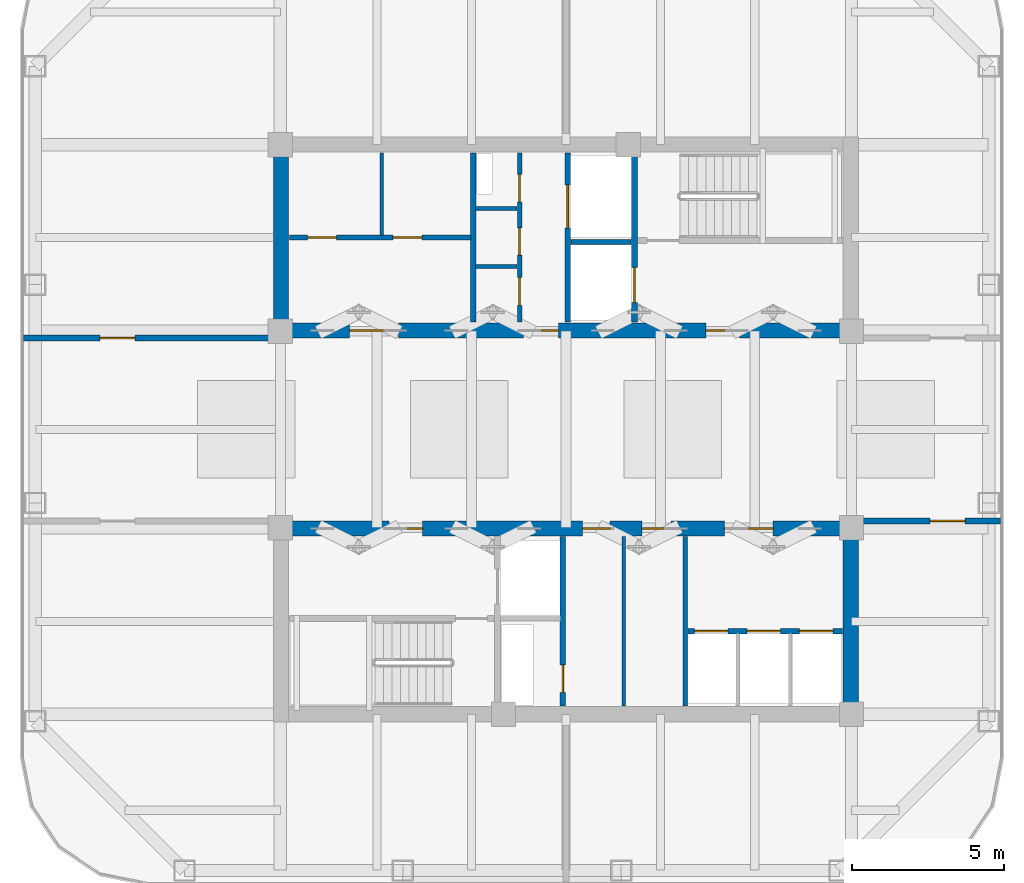
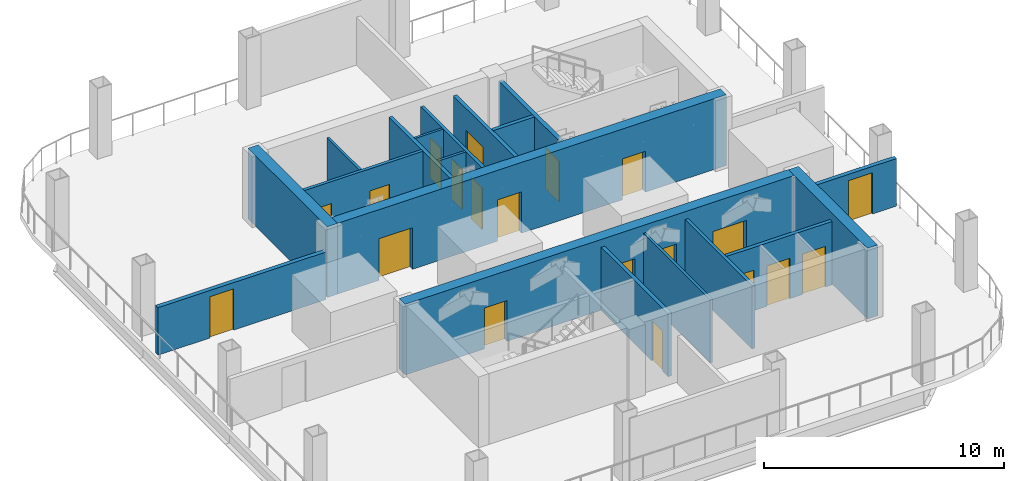
# One storey, part 3 of 9: 20 doors, 19 walls, 20 openings.
"""IFC4 building model written with IfcOpenShell, lengths in metres."""

from ifc_helpers import new_model, si_unit, direction, frame, frame_2d, origin, place, context, subcontext, project, spatial, rectangle, extrude, material, layer, layer_set, type_object, element, fill, save


model = new_model("IFC4")

# Units and contexts
model_context = context("Model", 3, precision=1e-05, world=origin(), true_north=direction((0.0, 1.0)))
body_context = subcontext(model_context, "Body", "Model", "MODEL_VIEW")
ifc_project = project(units=[si_unit("LENGTHUNIT", "METRE"), si_unit("AREAUNIT", "SQUARE_METRE"), si_unit("VOLUMEUNIT", "CUBIC_METRE"), si_unit("PLANEANGLEUNIT", "RADIAN"), si_unit("MASSUNIT", "GRAM", prefix="KILO")], contexts=[model_context])

# Site, building, storey
site_placement = place(None, origin())
site = spatial("IfcSite", under=ifc_project, at=site_placement, CompositionType="ELEMENT")
building_placement = place(site_placement, origin())
building = spatial("IfcBuilding", under=site, at=building_placement, Name="Qhalaya Broadcast Tower", CompositionType="ELEMENT")
storey_placement = place(building_placement, frame((0.0, 0.0, 191.550048828125)))
storey = spatial("IfcBuildingStorey", under=building, at=storey_placement, Name="L56", CompositionType="ELEMENT", Elevation=191.550048828125)

# Wall, openings, doors
ifc_material_1 = material(Name="Gypsum Acoustic Partition")
ifc_layer_1 = layer(ifc_material_1, 0.14990234375, Name="Gypsum Acoustic Partition")
ifc_layer_set_1 = layer_set([ifc_layer_1], Name="Gypsum Acoustic Partition")
wall_type_1 = type_object("IfcWallType", Name="Corridor & Tenancy Acoustic Partition 150", PredefinedType="PARTITIONING", material=ifc_layer_set_1)
wall_1_placement = place(storey_placement, frame((-1.52001953125, 4.1201171875, 0.0), z_axis=(0.0, 0.0, 1.0), x_axis=(0.0, 1.0, 0.0)))
wall_1 = element("IfcWall", 1, at=wall_1_placement, inside=storey, type_object=wall_type_1, Name="L56 Partition Wall NCW-SVL", PredefinedType="PARTITIONING", context=body_context, shape_type="SweptSolid", body=[
    extrude(rectangle(XDim=5.559814453125, YDim=0.14990234375, at=frame_2d((2.77978515625, 0.0))), origin(), (0.0, 0.0, 1.0), 3.219970703125),
])
opening_1_placement = place(wall_1_placement, frame((3.949951171875, 0.0, 0.0)))
opening_1 = element("IfcOpeningElement", 2, at=opening_1_placement, cuts=wall_1, Name="Opening D06", PredefinedType="OPENING", context=body_context, shape_type="SweptSolid", body=[
    extrude(rectangle(XDim=0.89990234375, YDim=2.050048828125, at=frame_2d((0.449951171875, 1.02490234375))), frame((0.0, 0.0869140625, 0.0), z_axis=(0.0, -1.0, 0.0), x_axis=(1.0, 0.0, 0.0)), (0.0, 0.0, 1.0), 0.173828125),
])
opening_2_placement = place(wall_1_placement, frame((2.199951171875, 0.0, 0.0)))
opening_2 = element("IfcOpeningElement", 3, at=opening_2_placement, cuts=wall_1, Name="Opening D06", PredefinedType="OPENING", context=body_context, shape_type="SweptSolid", body=[
    extrude(rectangle(XDim=0.89990234375, YDim=2.050048828125, at=frame_2d((0.449951171875, 1.02490234375))), frame((0.0, 0.0869140625, 0.0), z_axis=(0.0, -1.0, 0.0), x_axis=(1.0, 0.0, 0.0)), (0.0, 0.0, 1.0), 0.173828125),
])
opening_3_placement = place(wall_1_placement, frame((0.550048828125, 0.0, 0.0)))
opening_3 = element("IfcOpeningElement", 4, at=opening_3_placement, cuts=wall_1, Name="Opening D12", PredefinedType="OPENING", context=body_context, shape_type="SweptSolid", body=[
    extrude(rectangle(XDim=0.919921875, YDim=2.10009765625, at=frame_2d((0.4599609375, 1.050048828125))), frame((0.0, 0.0869140625, 0.0), z_axis=(0.0, -1.0, 0.0), x_axis=(1.0, 0.0, 0.0)), (0.0, 0.0, 1.0), 0.173828125),
])
ifc_material_2 = material(Name="Timber Veneer Acoustic Door", Category="wood")
door_type_1 = type_object("IfcDoorType", Name="Accessible WC & Restroom Door D12", OperationType="NOTDEFINED", PredefinedType="DOOR", material=ifc_material_2)
door_1_placement = place(opening_3_placement, origin())
door_1 = element("IfcDoor", 5, at=door_1_placement, inside=storey, type_object=door_type_1, Name="L56 Door D-NCWC", OperationType="SINGLE_SWING_RIGHT", OverallHeight=2.10009765625, OverallWidth=0.919921875, PredefinedType="DOOR", context=body_context, shape_type="SweptSolid", body=[
    extrude(rectangle(XDim=0.919921875, YDim=2.10009765625, at=frame_2d((0.4599609375, 1.050048828125))), frame((0.0, 0.02490234375, 0.0), z_axis=(0.0, -1.0, 0.0), x_axis=(1.0, 0.0, 0.0)), (0.0, 0.0, 1.0), 0.050048828125),
])
fill(opening_3, door_1)
ifc_material_3 = material(Name="Fire-Rated Steel Door", Category="steel")
door_type_2 = type_object("IfcDoorType", Name="Riser & Electrical Shaft Access Door D06", OperationType="NOTDEFINED", PredefinedType="DOOR", material=ifc_material_3)
door_2_placement = place(opening_1_placement, origin())
door_2 = element("IfcDoor", 6, at=door_2_placement, inside=storey, type_object=door_type_2, Name="L56 Riser Shaft Access Door D-NRSR", OperationType="SINGLE_SWING_RIGHT", OverallHeight=2.050048828125, OverallWidth=0.89990234375, PredefinedType="DOOR", context=body_context, shape_type="SweptSolid", body=[
    extrude(rectangle(XDim=0.89990234375, YDim=2.050048828125, at=frame_2d((0.449951171875, 1.02490234375))), frame((0.0, 0.02490234375, 0.0), z_axis=(0.0, -1.0, 0.0), x_axis=(1.0, 0.0, 0.0)), (0.0, 0.0, 1.0), 0.050048828125),
])
fill(opening_1, door_2)
door_3_placement = place(opening_2_placement, origin())
door_3 = element("IfcDoor", 7, at=door_3_placement, inside=storey, type_object=door_type_2, Name="L56 Door D-NITR", OperationType="SINGLE_SWING_LEFT", OverallHeight=2.050048828125, OverallWidth=0.89990234375, PredefinedType="DOOR", context=body_context, shape_type="SweptSolid", body=[
    extrude(rectangle(XDim=0.89990234375, YDim=2.050048828125, at=frame_2d((0.449951171875, 1.02490234375))), frame((0.0, 0.02490234375, 0.0), z_axis=(0.0, -1.0, 0.0), x_axis=(1.0, 0.0, 0.0)), (0.0, 0.0, 1.0), 0.050048828125),
])
fill(opening_2, door_3)

wall_2_placement = place(storey_placement, frame((-9.080078125, 6.89990234375, 0.0), z_axis=(0.0, 0.0, 1.0), x_axis=(1.0, 0.0, 0.0)))
wall_2 = element("IfcWall", 8, at=wall_2_placement, inside=storey, type_object=wall_type_1, Name="L56 Partition Wall NCW-REC1", PredefinedType="PARTITIONING", context=body_context, shape_type="SweptSolid", body=[
    extrude(rectangle(XDim=5.9599609375, YDim=0.14990234375, at=frame_2d((2.97998046875, 0.0))), origin(), (0.0, 0.0, 1.0), 3.219970703125),
])
opening_4_placement = place(wall_2_placement, frame((0.60009765625, 0.0, 0.0)))
opening_4 = element("IfcOpeningElement", 9, at=opening_4_placement, cuts=wall_2, Name="Opening D10", PredefinedType="OPENING", context=body_context, shape_type="SweptSolid", body=[
    extrude(rectangle(XDim=0.949951171875, YDim=2.10009765625, at=frame_2d((0.47509765625, 1.050048828125))), frame((0.0, 0.0869140625, 0.0), z_axis=(0.0, -1.0, 0.0), x_axis=(1.0, 0.0, 0.0)), (0.0, 0.0, 1.0), 0.173828125),
])
opening_5_placement = place(wall_2_placement, frame((3.39990234375, 0.0, 0.0)))
opening_5 = element("IfcOpeningElement", 10, at=opening_5_placement, cuts=wall_2, Name="Opening D10", PredefinedType="OPENING", context=body_context, shape_type="SweptSolid", body=[
    extrude(rectangle(XDim=0.949951171875, YDim=2.10009765625, at=frame_2d((0.47509765625, 1.050048828125))), frame((0.0, 0.0869140625, 0.0), z_axis=(0.0, -1.0, 0.0), x_axis=(1.0, 0.0, 0.0)), (0.0, 0.0, 1.0), 0.173828125),
])
door_type_3 = type_object("IfcDoorType", Name="Cellular Office & Edit Booth Door D10", OperationType="NOTDEFINED", PredefinedType="DOOR", material=ifc_material_2)
door_4_placement = place(opening_4_placement, origin())
door_4 = element("IfcDoor", 11, at=door_4_placement, inside=storey, type_object=door_type_3, Name="L56 Door D-NREC1", OperationType="SINGLE_SWING_LEFT", OverallHeight=2.10009765625, OverallWidth=0.949951171875, PredefinedType="DOOR", context=body_context, shape_type="SweptSolid", body=[
    extrude(rectangle(XDim=0.949951171875, YDim=2.10009765625, at=frame_2d((0.47509765625, 1.050048828125))), frame((0.0, 0.02490234375, 0.0), z_axis=(0.0, -1.0, 0.0), x_axis=(1.0, 0.0, 0.0)), (0.0, 0.0, 1.0), 0.050048828125),
])
fill(opening_4, door_4)
door_5_placement = place(opening_5_placement, origin())
door_5 = element("IfcDoor", 12, at=door_5_placement, inside=storey, type_object=door_type_3, Name="L56 Door D-NREC2", OperationType="SINGLE_SWING_RIGHT", OverallHeight=2.10009765625, OverallWidth=0.949951171875, PredefinedType="DOOR", context=body_context, shape_type="SweptSolid", body=[
    extrude(rectangle(XDim=0.949951171875, YDim=2.10009765625, at=frame_2d((0.47509765625, 1.050048828125))), frame((0.0, 0.02490234375, 0.0), z_axis=(0.0, -1.0, 0.0), x_axis=(1.0, 0.0, 0.0)), (0.0, 0.0, 1.0), 0.050048828125),
])
fill(opening_5, door_5)

# Wall
wall_3_placement = place(storey_placement, frame((3.919921875, -8.47998046875, 0.0), z_axis=(0.0, 0.0, 1.0), x_axis=(0.0, 1.0, 0.0)))
element("IfcWall", 13, at=wall_3_placement, inside=storey, type_object=wall_type_1, Name="L56 Partition Wall SCW-HSEP", PredefinedType="PARTITIONING", context=body_context, shape_type="SweptSolid", body=[
    extrude(rectangle(XDim=5.56005859375, YDim=0.14990234375, at=frame_2d((2.780029296875, 0.0))), origin(), (0.0, 0.0, 1.0), 3.219970703125),
])

# Wall, opening, door
ifc_layer_2 = layer(ifc_material_1, 0.199951171875, Name="Gypsum Acoustic Partition")
ifc_layer_set_2 = layer_set([ifc_layer_2], Name="Gypsum Acoustic Partition")
wall_type_2 = type_object("IfcWallType", Name="Firefighting Lobby & Stair Enclosure Wall 200", PredefinedType="PARTITIONING", material=ifc_layer_set_2)
wall_4_placement = place(storey_placement, frame((-17.800048828125, 3.60009765625, 0.0), z_axis=(0.0, 0.0, 1.0), x_axis=(1.0, 0.0, 0.0)))
wall_4 = element("IfcWall", 14, at=wall_4_placement, inside=storey, type_object=wall_type_2, Name="L56 Partition Wall W-PL56NW", PredefinedType="PARTITIONING", context=body_context, shape_type="SweptSolid", body=[
    extrude(rectangle(XDim=8.090087890625, YDim=0.199951171875, at=frame_2d((4.044921875, 0.0))), origin(), (0.0, 0.0, 1.0), 2.419921875),
])
opening_6_placement = place(wall_4_placement, frame((2.4990234375, 0.0, 0.0)))
opening_6 = element("IfcOpeningElement", 15, at=opening_6_placement, cuts=wall_4, Name="Opening D05", PredefinedType="OPENING", context=body_context, shape_type="SweptSolid", body=[
    extrude(rectangle(XDim=1.14990234375, YDim=2.10009765625, at=frame_2d((0.574951171875, 1.050048828125))), frame((0.0, 0.112060546875, 0.0), z_axis=(0.0, -1.0, 0.0), x_axis=(1.0, 0.0, 0.0)), (0.0, 0.0, 1.0), 0.223876953125),
])
door_type_4 = type_object("IfcDoorType", Name="Refuge & Plant Room Fire Door D05", OperationType="NOTDEFINED", PredefinedType="DOOR", material=ifc_material_3)
door_6_placement = place(opening_6_placement, origin())
door_6 = element("IfcDoor", 16, at=door_6_placement, inside=storey, type_object=door_type_4, Name="L56 Door D-PL56NW", OperationType="SINGLE_SWING_RIGHT", OverallHeight=2.10009765625, OverallWidth=1.14990234375, PredefinedType="DOOR", context=body_context, shape_type="SweptSolid", body=[
    extrude(rectangle(XDim=1.14990234375, YDim=2.10009765625, at=frame_2d((0.574951171875, 1.050048828125))), frame((0.0, 0.02490234375, 0.0), z_axis=(0.0, -1.0, 0.0), x_axis=(1.0, 0.0, 0.0)), (0.0, 0.0, 1.0), 0.050048828125),
])
fill(opening_6, door_6)

wall_5_placement = place(storey_placement, frame((9.7099609375, -2.39990234375, 0.0), z_axis=(0.0, 0.0, 1.0), x_axis=(1.0, 0.0, 0.0)))
wall_5 = element("IfcWall", 17, at=wall_5_placement, inside=storey, type_object=wall_type_2, Name="L56 Partition Wall W-PL56SE", PredefinedType="PARTITIONING", context=body_context, shape_type="SweptSolid", body=[
    extrude(rectangle(XDim=4.550048828125, YDim=0.199951171875, at=frame_2d((2.27490234375, 0.0))), origin(), (0.0, 0.0, 1.0), 2.419921875),
])
opening_7_placement = place(wall_5_placement, frame((2.24609375, 0.0, 0.0)))
opening_7 = element("IfcOpeningElement", 18, at=opening_7_placement, cuts=wall_5, Name="Opening D05", PredefinedType="OPENING", context=body_context, shape_type="SweptSolid", body=[
    extrude(rectangle(XDim=1.14990234375, YDim=2.10009765625, at=frame_2d((0.574951171875, 1.050048828125))), frame((0.0, 0.112060546875, 0.0), z_axis=(0.0, -1.0, 0.0), x_axis=(1.0, 0.0, 0.0)), (0.0, 0.0, 1.0), 0.223876953125),
])
door_7_placement = place(opening_7_placement, origin())
door_7 = element("IfcDoor", 19, at=door_7_placement, inside=storey, type_object=door_type_4, Name="L56 Door D-PL56SE", OperationType="SINGLE_SWING_RIGHT", OverallHeight=2.10009765625, OverallWidth=1.14990234375, PredefinedType="DOOR", context=body_context, shape_type="SweptSolid", body=[
    extrude(rectangle(XDim=1.14990234375, YDim=2.10009765625, at=frame_2d((0.574951171875, 1.050048828125))), frame((0.0, 0.02490234375, 0.0), z_axis=(0.0, -1.0, 0.0), x_axis=(1.0, 0.0, 0.0)), (0.0, 0.0, 1.0), 0.050048828125),
])
fill(opening_7, door_7)

ifc_material_4 = material(Name="Concrete C50/60", Category="concrete")
ifc_layer_3 = layer(ifc_material_4, 0.199951171875, Name="Concrete C50/60")
ifc_layer_set_3 = layer_set([ifc_layer_3], Name="Concrete C50/60")
wall_type_3 = type_object("IfcWallType", Name="Load-Bearing Stair Shaft Wall 200", PredefinedType="SHEAR", material=ifc_layer_set_3)
wall_6_placement = place(storey_placement, frame((2.25, 4.1201171875, 0.0), z_axis=(0.0, 0.0, 1.0), x_axis=(0.0, 1.0, 0.0)))
wall_6 = element("IfcWall", 20, at=wall_6_placement, inside=storey, type_object=wall_type_3, Name="L56 Stair Core Shear Wall NCW-FF", PredefinedType="SHEAR", context=body_context, shape_type="SweptSolid", body=[
    extrude(rectangle(XDim=5.559814453125, YDim=0.199951171875, at=frame_2d((2.77978515625, 0.0))), origin(), (0.0, 0.0, 1.0), 3.219970703125),
])
opening_8_placement = place(wall_6_placement, frame((0.64990234375, 0.0, 0.0)))
opening_8 = element("IfcOpeningElement", 21, at=opening_8_placement, cuts=wall_6, Name="Opening LD2", PredefinedType="OPENING", context=body_context, shape_type="SweptSolid", body=[
    extrude(rectangle(XDim=1.14990234375, YDim=2.080078125, at=frame_2d((0.574951171875, 1.0400390625))), frame((0.0, 0.112060546875, 0.0), z_axis=(0.0, -1.0, 0.0), x_axis=(1.0, 0.0, 0.0)), (0.0, 0.0, 1.0), 0.223876953125),
])
ifc_material_5 = material(Name="Brushed Stainless Steel Lift Door", Category="steel")
door_type_5 = type_object("IfcDoorType", Name="Firefighting Lift Sliding Landing Door LD2", OperationType="DOUBLE_DOOR_SLIDING", PredefinedType="DOOR", material=ifc_material_5)
door_8_placement = place(opening_8_placement, origin())
door_8 = element("IfcDoor", 22, at=door_8_placement, inside=storey, type_object=door_type_5, Name="L56 Door LD-FF1", OperationType="DOUBLE_DOOR_SLIDING", OverallHeight=2.080078125, OverallWidth=1.14990234375, PredefinedType="DOOR", context=body_context, shape_type="SweptSolid", body=[
    extrude(rectangle(XDim=1.14990234375, YDim=2.080078125, at=frame_2d((0.574951171875, 1.0400390625))), frame((0.0, 0.02490234375, 0.0), z_axis=(0.0, -1.0, 0.0), x_axis=(1.0, 0.0, 0.0)), (0.0, 0.0, 1.0), 0.050048828125),
])
fill(opening_8, door_8)

# Wall, openings, doors
ifc_layer_4 = layer(ifc_material_4, 0.5, Name="Concrete C50/60")
ifc_layer_set_4 = layer_set([ifc_layer_4], Name="Concrete C50/60")
wall_type_4 = type_object("IfcWallType", Name="Mid Split-Core Shear Wall 500", PredefinedType="SHEAR", material=ifc_layer_set_4)
wall_7_placement = place(storey_placement, frame((-9.60009765625, 3.85009765625, 0.0), z_axis=(0.0, 0.0, 1.0), x_axis=(1.0, 0.0, 0.0)))
wall_7 = element("IfcWall", 23, at=wall_7_placement, inside=storey, type_object=wall_type_4, Name="L56 Split-Core Shear Wall CW-NS", PredefinedType="SHEAR", context=body_context, shape_type="SweptSolid", body=[
    extrude(rectangle(XDim=19.2001953125, YDim=0.5, at=frame_2d((9.60009765625, 0.0))), origin(), (0.0, 0.0, 1.0), 3.599853515625),
])
opening_9_placement = place(wall_7_placement, frame((14.199951171875, 0.0, 0.0)))
opening_9 = element("IfcOpeningElement", 24, at=opening_9_placement, cuts=wall_7, Name="Opening D04", PredefinedType="OPENING", context=body_context, shape_type="SweptSolid", body=[
    extrude(rectangle(XDim=1.10009765625, YDim=2.080078125, at=frame_2d((0.550048828125, 1.0400390625))), frame((0.0, 0.261962890625, 0.0), z_axis=(0.0, -1.0, 0.0), x_axis=(1.0, 0.0, 0.0)), (0.0, 0.0, 1.0), 0.52392578125),
])
opening_10_placement = place(wall_7_placement, frame((8.199951171875, 0.0, 0.0)))
opening_10 = element("IfcOpeningElement", 25, at=opening_10_placement, cuts=wall_7, Name="Opening D05", PredefinedType="OPENING", context=body_context, shape_type="SweptSolid", body=[
    extrude(rectangle(XDim=1.14990234375, YDim=2.10009765625, at=frame_2d((0.574951171875, 1.050048828125))), frame((0.0, 0.261962890625, 0.0), z_axis=(0.0, -1.0, 0.0), x_axis=(1.0, 0.0, 0.0)), (0.0, 0.0, 1.0), 0.52392578125),
])
opening_11_placement = place(wall_7_placement, frame((2.5, 0.0, 0.0)))
opening_11 = element("IfcOpeningElement", 26, at=opening_11_placement, cuts=wall_7, Name="Opening D07", PredefinedType="OPENING", context=body_context, shape_type="SweptSolid", body=[
    extrude(rectangle(XDim=1.60009765625, YDim=2.1201171875, at=frame_2d((0.800048828125, 1.06005859375))), frame((0.0, 0.261962890625, 0.0), z_axis=(0.0, -1.0, 0.0), x_axis=(1.0, 0.0, 0.0)), (0.0, 0.0, 1.0), 0.52392578125),
])
door_type_6 = type_object("IfcDoorType", Name="Firefighting Lobby Rated Door D04", OperationType="NOTDEFINED", PredefinedType="DOOR", material=ifc_material_3)
door_9_placement = place(opening_9_placement, origin())
door_9 = element("IfcDoor", 27, at=door_9_placement, inside=storey, type_object=door_type_6, Name="L56 Door D-NFF", OperationType="SINGLE_SWING_RIGHT", OverallHeight=2.080078125, OverallWidth=1.10009765625, PredefinedType="DOOR", context=body_context, shape_type="SweptSolid", body=[
    extrude(rectangle(XDim=1.10009765625, YDim=2.080078125, at=frame_2d((0.550048828125, 1.0400390625))), frame((0.0, 0.02490234375, 0.0), z_axis=(0.0, -1.0, 0.0), x_axis=(1.0, 0.0, 0.0)), (0.0, 0.0, 1.0), 0.050048828125),
])
fill(opening_9, door_9)
ifc_material_6 = material(Name="Anodised Aluminium Glazed Door", Category="aluminium")
door_type_7 = type_object("IfcDoorType", Name="Passenger Lift Lobby Double Glazed Door D07", OperationType="DOUBLE_DOOR_SINGLE_SWING", PredefinedType="DOOR", material=ifc_material_6)
door_10_placement = place(opening_11_placement, origin())
door_10 = element("IfcDoor", 28, at=door_10_placement, inside=storey, type_object=door_type_7, Name="L56 Door D-NRECV", OperationType="DOUBLE_DOOR_SINGLE_SWING", OverallHeight=2.1201171875, OverallWidth=1.60009765625, PredefinedType="DOOR", context=body_context, shape_type="SweptSolid", body=[
    extrude(rectangle(XDim=1.60009765625, YDim=2.1201171875, at=frame_2d((0.800048828125, 1.06005859375))), frame((0.0, 0.02490234375, 0.0), z_axis=(0.0, -1.0, 0.0), x_axis=(1.0, 0.0, 0.0)), (0.0, 0.0, 1.0), 0.050048828125),
])
fill(opening_11, door_10)
door_11_placement = place(opening_10_placement, origin())
door_11 = element("IfcDoor", 29, at=door_11_placement, inside=storey, type_object=door_type_4, Name="L56 Door D-NSVL", OperationType="SINGLE_SWING_LEFT", OverallHeight=2.10009765625, OverallWidth=1.14990234375, PredefinedType="DOOR", context=body_context, shape_type="SweptSolid", body=[
    extrude(rectangle(XDim=1.14990234375, YDim=2.10009765625, at=frame_2d((0.574951171875, 1.050048828125))), frame((0.0, 0.02490234375, 0.0), z_axis=(0.0, -1.0, 0.0), x_axis=(1.0, 0.0, 0.0)), (0.0, 0.0, 1.0), 0.050048828125),
])
fill(opening_10, door_11)

# Wall
wall_8_placement = place(storey_placement, frame((-9.35009765625, 3.60009765625, 0.0), z_axis=(0.0, 0.0, 1.0), x_axis=(0.0, 1.0, 0.0)))
element("IfcWall", 30, at=wall_8_placement, inside=storey, type_object=wall_type_4, Name="L56 Split-Core Shear Wall CW-NW", PredefinedType="SHEAR", context=body_context, shape_type="SweptSolid", body=[
    extrude(rectangle(XDim=6.599853515625, YDim=0.5, at=frame_2d((3.2998046875, 0.0))), origin(), (0.0, 0.0, 1.0), 3.599853515625),
])

# Wall, openings, doors
wall_9_placement = place(storey_placement, frame((-9.60009765625, -2.64990234375, 0.0), z_axis=(0.0, 0.0, 1.0), x_axis=(1.0, 0.0, 0.0)))
wall_9 = element("IfcWall", 31, at=wall_9_placement, inside=storey, type_object=wall_type_4, Name="L56 Split-Core Shear Wall CW-SN", PredefinedType="SHEAR", context=body_context, shape_type="SweptSolid", body=[
    extrude(rectangle(XDim=19.2001953125, YDim=0.5, at=frame_2d((9.60009765625, 0.0))), origin(), (0.0, 0.0, 1.0), 3.599853515625),
])
opening_12_placement = place(wall_9_placement, frame((3.800048828125, 0.0, 0.0)))
opening_12 = element("IfcOpeningElement", 32, at=opening_12_placement, cuts=wall_9, Name="Opening D04", PredefinedType="OPENING", context=body_context, shape_type="SweptSolid", body=[
    extrude(rectangle(XDim=1.10009765625, YDim=2.080078125, at=frame_2d((0.550048828125, 1.0400390625))), frame((0.0, 0.261962890625, 0.0), z_axis=(0.0, -1.0, 0.0), x_axis=(1.0, 0.0, 0.0)), (0.0, 0.0, 1.0), 0.52392578125),
])
opening_13_placement = place(wall_9_placement, frame((10.14990234375, 0.0, 0.0)))
opening_13 = element("IfcOpeningElement", 33, at=opening_13_placement, cuts=wall_9, Name="Opening D06", PredefinedType="OPENING", context=body_context, shape_type="SweptSolid", body=[
    extrude(rectangle(XDim=0.89990234375, YDim=2.050048828125, at=frame_2d((0.449951171875, 1.02490234375))), frame((0.0, 0.261962890625, 0.0), z_axis=(0.0, -1.0, 0.0), x_axis=(1.0, 0.0, 0.0)), (0.0, 0.0, 1.0), 0.52392578125),
])
opening_14_placement = place(wall_9_placement, frame((12.10009765625, 0.0, 0.0)))
opening_14 = element("IfcOpeningElement", 34, at=opening_14_placement, cuts=wall_9, Name="Opening D10", PredefinedType="OPENING", context=body_context, shape_type="SweptSolid", body=[
    extrude(rectangle(XDim=0.949951171875, YDim=2.10009765625, at=frame_2d((0.47509765625, 1.050048828125))), frame((0.0, 0.261962890625, 0.0), z_axis=(0.0, -1.0, 0.0), x_axis=(1.0, 0.0, 0.0)), (0.0, 0.0, 1.0), 0.52392578125),
])
opening_15_placement = place(wall_9_placement, frame((14.800048828125, 0.0, 0.0)))
opening_15 = element("IfcOpeningElement", 35, at=opening_15_placement, cuts=wall_9, Name="Opening D07", PredefinedType="OPENING", context=body_context, shape_type="SweptSolid", body=[
    extrude(rectangle(XDim=1.60009765625, YDim=2.1201171875, at=frame_2d((0.800048828125, 1.06005859375))), frame((0.0, 0.261962890625, 0.0), z_axis=(0.0, -1.0, 0.0), x_axis=(1.0, 0.0, 0.0)), (0.0, 0.0, 1.0), 0.52392578125),
])
door_12_placement = place(opening_14_placement, origin())
door_12 = element("IfcDoor", 36, at=door_12_placement, inside=storey, type_object=door_type_3, Name="L56 Door D-SREC2", OperationType="SINGLE_SWING_RIGHT", OverallHeight=2.10009765625, OverallWidth=0.949951171875, PredefinedType="DOOR", context=body_context, shape_type="SweptSolid", body=[
    extrude(rectangle(XDim=0.949951171875, YDim=2.10009765625, at=frame_2d((0.47509765625, 1.050048828125))), frame((0.0, 0.02490234375, 0.0), z_axis=(0.0, -1.0, 0.0), x_axis=(1.0, 0.0, 0.0)), (0.0, 0.0, 1.0), 0.050048828125),
])
fill(opening_14, door_12)
door_13_placement = place(opening_12_placement, origin())
door_13 = element("IfcDoor", 37, at=door_13_placement, inside=storey, type_object=door_type_6, Name="L56 Door D-SFF", OperationType="SINGLE_SWING_LEFT", OverallHeight=2.080078125, OverallWidth=1.10009765625, PredefinedType="DOOR", context=body_context, shape_type="SweptSolid", body=[
    extrude(rectangle(XDim=1.10009765625, YDim=2.080078125, at=frame_2d((0.550048828125, 1.0400390625))), frame((0.0, 0.02490234375, 0.0), z_axis=(0.0, -1.0, 0.0), x_axis=(1.0, 0.0, 0.0)), (0.0, 0.0, 1.0), 0.050048828125),
])
fill(opening_12, door_13)
door_14_placement = place(opening_15_placement, origin())
door_14 = element("IfcDoor", 38, at=door_14_placement, inside=storey, type_object=door_type_7, Name="L56 Door D-SPLL", OperationType="DOUBLE_DOOR_SINGLE_SWING", OverallHeight=2.1201171875, OverallWidth=1.60009765625, PredefinedType="DOOR", context=body_context, shape_type="SweptSolid", body=[
    extrude(rectangle(XDim=1.60009765625, YDim=2.1201171875, at=frame_2d((0.800048828125, 1.06005859375))), frame((0.0, 0.02490234375, 0.0), z_axis=(0.0, -1.0, 0.0), x_axis=(1.0, 0.0, 0.0)), (0.0, 0.0, 1.0), 0.050048828125),
])
fill(opening_15, door_14)
door_15_placement = place(opening_13_placement, origin())
door_15 = element("IfcDoor", 39, at=door_15_placement, inside=storey, type_object=door_type_2, Name="L56 Door D-SREC1", OperationType="SINGLE_SWING_LEFT", OverallHeight=2.050048828125, OverallWidth=0.89990234375, PredefinedType="DOOR", context=body_context, shape_type="SweptSolid", body=[
    extrude(rectangle(XDim=0.89990234375, YDim=2.050048828125, at=frame_2d((0.449951171875, 1.02490234375))), frame((0.0, 0.02490234375, 0.0), z_axis=(0.0, -1.0, 0.0), x_axis=(1.0, 0.0, 0.0)), (0.0, 0.0, 1.0), 0.050048828125),
])
fill(opening_13, door_15)

# Walls
wall_10_placement = place(storey_placement, frame((9.35009765625, -9.0, 0.0), z_axis=(0.0, 0.0, 1.0), x_axis=(0.0, 1.0, 0.0)))
element("IfcWall", 40, at=wall_10_placement, inside=storey, type_object=wall_type_4, Name="L56 Split-Core Shear Wall CW-SE", PredefinedType="SHEAR", context=body_context, shape_type="SweptSolid", body=[
    extrude(rectangle(XDim=6.60009765625, YDim=0.5, at=frame_2d((3.300048828125, 0.0))), origin(), (0.0, 0.0, 1.0), 3.599853515625),
])
ifc_layer_5 = layer(ifc_material_1, 0.1201171875, Name="Gypsum Acoustic Partition")
ifc_layer_set_5 = layer_set([ifc_layer_5], Name="Gypsum Acoustic Partition")
wall_type_5 = type_object("IfcWallType", Name="Office, Booth & Sanitary Partition 120", PredefinedType="PARTITIONING", material=ifc_layer_set_5)
for number, where, z_axis, x_axis, name in (
    (41, (-2.9599609375, 5.949951171875, 0.0), (0.0, 0.0, 1.0), (1.0, 0.0, 0.0), "L56 Partition Wall NCW-VB1"),
    (42, (-2.9599609375, 7.85009765625, 0.0), (0.0, 0.0, 1.0), (1.0, 0.0, 0.0), "L56 Partition Wall NCW-VB2"),
):
    element("IfcWall", number, at=place(storey_placement, frame(where, z_axis=z_axis, x_axis=x_axis)), inside=storey, type_object=wall_type_5, Name=name, PredefinedType="PARTITIONING", context=body_context, shape_type="SweptSolid", body=[
        extrude(rectangle(XDim=1.35986328125, YDim=0.1201171875, at=frame_2d((0.679931640625, 0.0))), origin(), (0.0, 0.0, 1.0), 3.219970703125),
    ])
wall_11_placement = place(storey_placement, frame((-6.050048828125, 6.97998046875, 0.0), z_axis=(0.0, 0.0, 1.0), x_axis=(0.0, 1.0, 0.0)))
element("IfcWall", 43, at=wall_11_placement, inside=storey, type_object=wall_type_5, Name="L56 Partition Wall NCW-REC2", PredefinedType="PARTITIONING", context=body_context, shape_type="SweptSolid", body=[
    extrude(rectangle(XDim=2.699951171875, YDim=0.1201171875, at=frame_2d((1.35009765625, 0.0))), origin(), (0.0, 0.0, 1.0), 3.219970703125),
])
wall_12_placement = place(storey_placement, frame((1.89990234375, -8.47998046875, 0.0), z_axis=(0.0, 0.0, 1.0), x_axis=(0.0, 1.0, 0.0)))
element("IfcWall", 44, at=wall_12_placement, inside=storey, type_object=wall_type_5, Name="L56 Partition Wall SCW-RKB", PredefinedType="PARTITIONING", context=body_context, shape_type="SweptSolid", body=[
    extrude(rectangle(XDim=5.56005859375, YDim=0.1201171875, at=frame_2d((2.780029296875, 0.0))), origin(), (0.0, 0.0, 1.0), 3.219970703125),
])

# Wall, opening, door
ifc_layer_6 = layer(ifc_material_1, 0.175048828125, Name="Gypsum Acoustic Partition")
ifc_layer_set_6 = layer_set([ifc_layer_6], Name="Gypsum Acoustic Partition")
wall_type_6 = type_object("IfcWallType", Name="Shaft & Riser Fire Partition 175", PredefinedType="PARTITIONING", material=ifc_layer_set_6)
wall_13_placement = place(storey_placement, frame((0.06005859375, 4.1201171875, 0.0), z_axis=(0.0, 0.0, 1.0), x_axis=(0.0, 1.0, 0.0)))
wall_13 = element("IfcWall", 45, at=wall_13_placement, inside=storey, type_object=wall_type_6, Name="L56 Partition Wall NCW-SVW", PredefinedType="PARTITIONING", context=body_context, shape_type="SweptSolid", body=[
    extrude(rectangle(XDim=5.559814453125, YDim=0.175048828125, at=frame_2d((2.77978515625, 0.0))), origin(), (0.0, 0.0, 1.0), 3.219970703125),
])
opening_16_placement = place(wall_13_placement, frame((3.10009765625, 0.0, 0.0)))
opening_16 = element("IfcOpeningElement", 46, at=opening_16_placement, cuts=wall_13, Name="Opening LD3", PredefinedType="OPENING", context=body_context, shape_type="SweptSolid", body=[
    extrude(rectangle(XDim=1.39990234375, YDim=2.1201171875, at=frame_2d((0.699951171875, 1.06005859375))), frame((0.0, 0.099609375, 0.0), z_axis=(0.0, -1.0, 0.0), x_axis=(1.0, 0.0, 0.0)), (0.0, 0.0, 1.0), 0.198974609375),
])
door_type_8 = type_object("IfcDoorType", Name="Service Lift Wide Sliding Landing Door LD3", OperationType="DOUBLE_DOOR_SLIDING", PredefinedType="DOOR", material=ifc_material_5)
door_16_placement = place(opening_16_placement, origin())
door_16 = element("IfcDoor", 47, at=door_16_placement, inside=storey, type_object=door_type_8, Name="L56 Door LD-SV1", OperationType="DOUBLE_DOOR_SLIDING", OverallHeight=2.1201171875, OverallWidth=1.39990234375, PredefinedType="DOOR", context=body_context, shape_type="SweptSolid", body=[
    extrude(rectangle(XDim=1.39990234375, YDim=2.1201171875, at=frame_2d((0.699951171875, 1.06005859375))), frame((0.0, 0.02490234375, 0.0), z_axis=(0.0, -1.0, 0.0), x_axis=(1.0, 0.0, 0.0)), (0.0, 0.0, 1.0), 0.050048828125),
])
fill(opening_16, door_16)

# Walls
wall_14_placement = place(storey_placement, frame((0.159912109375, 6.75, 0.0), z_axis=(0.0, 0.0, 1.0), x_axis=(1.0, 0.0, 0.0)))
element("IfcWall", 48, at=wall_14_placement, inside=storey, type_object=wall_type_6, Name="L56 Partition Wall NCW-SVM", PredefinedType="PARTITIONING", context=body_context, shape_type="SweptSolid", body=[
    extrude(rectangle(XDim=1.97998046875, YDim=0.175048828125, at=frame_2d((0.989990234375, 0.0))), origin(), (0.0, 0.0, 1.0), 3.219970703125),
])
wall_15_placement = place(storey_placement, frame((-3.0400390625, 4.1201171875, 0.0), z_axis=(0.0, 0.0, 1.0), x_axis=(0.0, 1.0, 0.0)))
element("IfcWall", 49, at=wall_15_placement, inside=storey, type_object=wall_type_6, Name="L56 Partition Wall NCW-VRW", PredefinedType="PARTITIONING", context=body_context, shape_type="SweptSolid", body=[
    extrude(rectangle(XDim=5.559814453125, YDim=0.175048828125, at=frame_2d((2.77978515625, 0.0))), origin(), (0.0, 0.0, 1.0), 3.219970703125),
])

# Wall, opening, door
wall_16_placement = place(storey_placement, frame((-0.10009765625, -8.47998046875, 0.0), z_axis=(0.0, 0.0, 1.0), x_axis=(0.0, 1.0, 0.0)))
wall_16 = element("IfcWall", 50, at=wall_16_placement, inside=storey, type_object=wall_type_6, Name="L56 Partition Wall SCW-FFE", PredefinedType="PARTITIONING", context=body_context, shape_type="SweptSolid", body=[
    extrude(rectangle(XDim=5.56005859375, YDim=0.175048828125, at=frame_2d((2.780029296875, 0.0))), origin(), (0.0, 0.0, 1.0), 3.219970703125),
])
opening_17_placement = place(wall_16_placement, frame((0.449951171875, 0.0, 0.0)))
opening_17 = element("IfcOpeningElement", 51, at=opening_17_placement, cuts=wall_16, Name="Opening D06", PredefinedType="OPENING", context=body_context, shape_type="SweptSolid", body=[
    extrude(rectangle(XDim=0.89990234375, YDim=2.050048828125, at=frame_2d((0.449951171875, 1.02490234375))), frame((0.0, 0.099609375, 0.0), z_axis=(0.0, -1.0, 0.0), x_axis=(1.0, 0.0, 0.0)), (0.0, 0.0, 1.0), 0.198974609375),
])
door_17_placement = place(opening_17_placement, origin())
door_17 = element("IfcDoor", 52, at=door_17_placement, inside=storey, type_object=door_type_2, Name="L56 Riser Shaft Access Door D-SRSR", OperationType="SINGLE_SWING_LEFT", OverallHeight=2.050048828125, OverallWidth=0.89990234375, PredefinedType="DOOR", context=body_context, shape_type="SweptSolid", body=[
    extrude(rectangle(XDim=0.89990234375, YDim=2.050048828125, at=frame_2d((0.449951171875, 1.02490234375))), frame((0.0, 0.02490234375, 0.0), z_axis=(0.0, -1.0, 0.0), x_axis=(1.0, 0.0, 0.0)), (0.0, 0.0, 1.0), 0.050048828125),
])
fill(opening_17, door_17)

# Wall, openings, doors
wall_17_placement = place(storey_placement, frame((4.0, -6.02001953125, 0.0), z_axis=(0.0, 0.0, 1.0), x_axis=(1.0, 0.0, 0.0)))
wall_17 = element("IfcWall", 53, at=wall_17_placement, inside=storey, type_object=wall_type_6, Name="L56 Partition Wall SCW-SLB", PredefinedType="PARTITIONING", context=body_context, shape_type="SweptSolid", body=[
    extrude(rectangle(XDim=5.080078125, YDim=0.175048828125, at=frame_2d((2.5400390625, 0.0))), origin(), (0.0, 0.0, 1.0), 3.219970703125),
])
opening_18_placement = place(wall_17_placement, frame((0.219970703125, 0.0, 0.0)))
opening_18 = element("IfcOpeningElement", 54, at=opening_18_placement, cuts=wall_17, Name="Opening LD1", PredefinedType="OPENING", context=body_context, shape_type="SweptSolid", body=[
    extrude(rectangle(XDim=1.10009765625, YDim=2.06005859375, at=frame_2d((0.550048828125, 1.030029296875))), frame((0.0, 0.099609375, 0.0), z_axis=(0.0, -1.0, 0.0), x_axis=(1.0, 0.0, 0.0)), (0.0, 0.0, 1.0), 0.198974609375),
])
opening_19_placement = place(wall_17_placement, frame((1.93994140625, 0.0, 0.0)))
opening_19 = element("IfcOpeningElement", 55, at=opening_19_placement, cuts=wall_17, Name="Opening LD1", PredefinedType="OPENING", context=body_context, shape_type="SweptSolid", body=[
    extrude(rectangle(XDim=1.10009765625, YDim=2.06005859375, at=frame_2d((0.550048828125, 1.030029296875))), frame((0.0, 0.099609375, 0.0), z_axis=(0.0, -1.0, 0.0), x_axis=(1.0, 0.0, 0.0)), (0.0, 0.0, 1.0), 0.198974609375),
])
opening_20_placement = place(wall_17_placement, frame((3.659912109375, 0.0, 0.0)))
opening_20 = element("IfcOpeningElement", 56, at=opening_20_placement, cuts=wall_17, Name="Opening LD1", PredefinedType="OPENING", context=body_context, shape_type="SweptSolid", body=[
    extrude(rectangle(XDim=1.10009765625, YDim=2.06005859375, at=frame_2d((0.550048828125, 1.030029296875))), frame((0.0, 0.099609375, 0.0), z_axis=(0.0, -1.0, 0.0), x_axis=(1.0, 0.0, 0.0)), (0.0, 0.0, 1.0), 0.198974609375),
])
door_type_9 = type_object("IfcDoorType", Name="Passenger Lift Sliding Landing Door LD1", OperationType="DOUBLE_DOOR_SLIDING", PredefinedType="DOOR", material=ifc_material_5)
door_18_placement = place(opening_18_placement, origin())
door_18 = element("IfcDoor", 57, at=door_18_placement, inside=storey, type_object=door_type_9, Name="L56 Door LD-P6", OperationType="DOUBLE_DOOR_SLIDING", OverallHeight=2.06005859375, OverallWidth=1.10009765625, PredefinedType="DOOR", context=body_context, shape_type="SweptSolid", body=[
    extrude(rectangle(XDim=1.10009765625, YDim=2.06005859375, at=frame_2d((0.550048828125, 1.030029296875))), frame((0.0, 0.02490234375, 0.0), z_axis=(0.0, -1.0, 0.0), x_axis=(1.0, 0.0, 0.0)), (0.0, 0.0, 1.0), 0.050048828125),
])
fill(opening_18, door_18)
door_19_placement = place(opening_19_placement, origin())
door_19 = element("IfcDoor", 58, at=door_19_placement, inside=storey, type_object=door_type_9, Name="L56 Door LD-P7", OperationType="DOUBLE_DOOR_SLIDING", OverallHeight=2.06005859375, OverallWidth=1.10009765625, PredefinedType="DOOR", context=body_context, shape_type="SweptSolid", body=[
    extrude(rectangle(XDim=1.10009765625, YDim=2.06005859375, at=frame_2d((0.550048828125, 1.030029296875))), frame((0.0, 0.02490234375, 0.0), z_axis=(0.0, -1.0, 0.0), x_axis=(1.0, 0.0, 0.0)), (0.0, 0.0, 1.0), 0.050048828125),
])
fill(opening_19, door_19)
door_20_placement = place(opening_20_placement, origin())
door_20 = element("IfcDoor", 59, at=door_20_placement, inside=storey, type_object=door_type_9, Name="L56 Door LD-P8", OperationType="DOUBLE_DOOR_SLIDING", OverallHeight=2.06005859375, OverallWidth=1.10009765625, PredefinedType="DOOR", context=body_context, shape_type="SweptSolid", body=[
    extrude(rectangle(XDim=1.10009765625, YDim=2.06005859375, at=frame_2d((0.550048828125, 1.030029296875))), frame((0.0, 0.02490234375, 0.0), z_axis=(0.0, -1.0, 0.0), x_axis=(1.0, 0.0, 0.0)), (0.0, 0.0, 1.0), 0.050048828125),
])
fill(opening_20, door_20)

save(model, "model.ifc")
